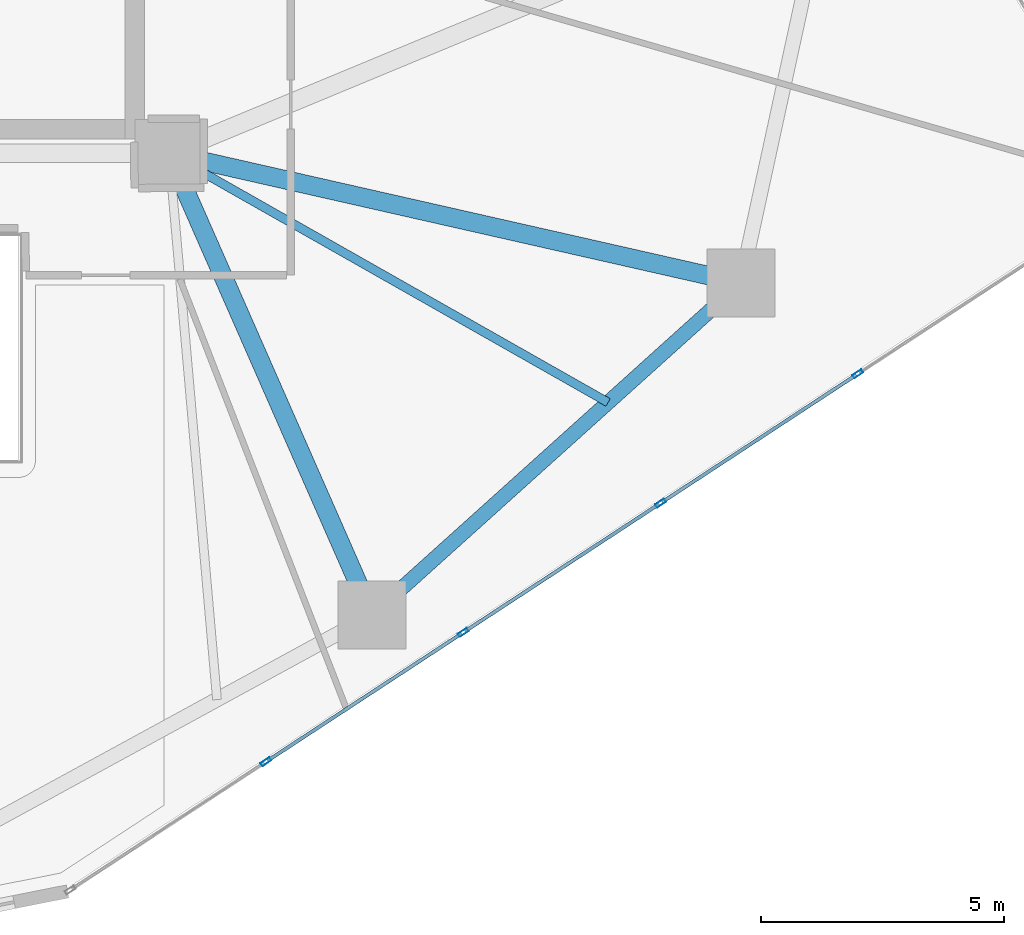
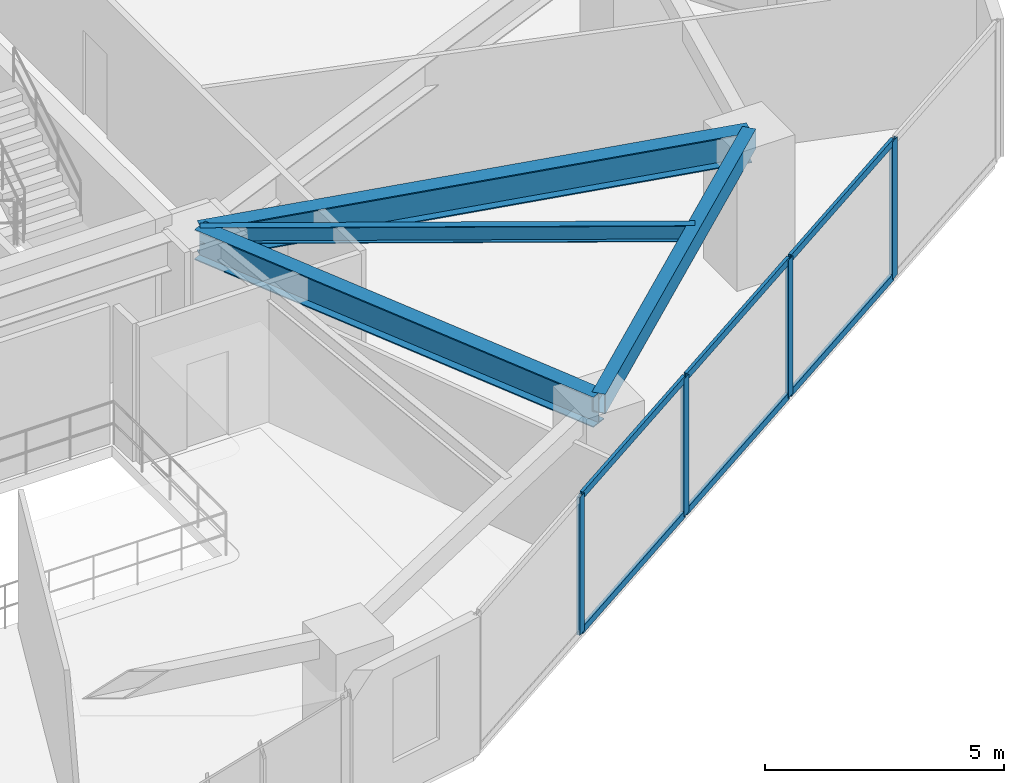
# One storey, part 8 of 20: 10 members, 4 beams, 1 element without a shape of its own.
"""IFC4 building model written with IfcOpenShell, lengths in metres."""

from ifc_helpers import new_model, si_unit, direction, frame, origin, origin_2d, place, context, subcontext, project, spatial, hollow_rectangle, i_section, extrude, source, transform, mapped, material, layer, layer_set, material_profile, profile_set, type_object, type_shapes, element, aggregate, save


model = new_model("IFC4")

# Units and contexts
model_context = context("Model", 3, precision=1e-05, world=origin(), true_north=direction((0.0, 1.0)))
body_context = subcontext(model_context, "Body", "Model", "MODEL_VIEW")
ifc_project = project(units=[si_unit("LENGTHUNIT", "METRE"), si_unit("AREAUNIT", "SQUARE_METRE"), si_unit("VOLUMEUNIT", "CUBIC_METRE"), si_unit("PLANEANGLEUNIT", "RADIAN"), si_unit("MASSUNIT", "GRAM", prefix="KILO")], contexts=[model_context])

# Site, building, storey
site_placement = place(None, origin())
site = spatial("IfcSite", under=ifc_project, at=site_placement, CompositionType="ELEMENT")
building_placement = place(site_placement, origin())
building = spatial("IfcBuilding", under=site, at=building_placement, Name="Talar Marvaseh", CompositionType="ELEMENT")
storey_placement = place(building_placement, frame((0.0, 0.0, 58.199951171875)))
storey = spatial("IfcBuildingStorey", under=building, at=storey_placement, Name="L14", CompositionType="ELEMENT", Elevation=58.199951171875)

# Beams
ifc_material_1 = material(Name="Steel S355", Category="steel")
ifc_material_profile_1 = material_profile(ifc_material_1, hollow_rectangle(XDim=0.300048828125, YDim=0.5, WallThickness=0.02001953125, at=origin_2d()), Name="RHS500x300x20")
ifc_profile_set_1 = profile_set([ifc_material_profile_1], Name="Steel S355")
beam_type_1 = type_object("IfcBeamType", Name="Zone 1 Perimeter Spandrel Beam RHS500x300x20", PredefinedType="SPANDREL", material=ifc_profile_set_1)
beam_1_placement = place(storey_placement, frame((45.0439453125, 22.840087890625, 3.27001953125), z_axis=(-0.743257224494, -0.669005753516, 0.0), x_axis=(0.669005753516, -0.743257224494, 0.0)))
element("IfcBeam", 1, at=beam_1_placement, inside=storey, type_object=beam_type_1, Name="L14 Zone 1 Perimeter Spandrel Beam RHS500x300x20", PredefinedType="SPANDREL", context=body_context, shape_type="SweptSolid", body=[
    extrude(hollow_rectangle(XDim=0.300048828125, YDim=0.5, WallThickness=0.02001953125, at=origin_2d()), origin(), (0.0, 0.0, 1.0), 10.19287109375),
])
ifc_material_profile_2 = material_profile(ifc_material_1, i_section(OverallWidth=0.381103515625, OverallDepth=0.77294921875, WebThickness=0.0166015625, FlangeThickness=0.027099609375, at=origin_2d()), Name="W760x257")
ifc_profile_set_2 = profile_set([ifc_material_profile_2], Name="Steel S355")
beam_type_2 = type_object("IfcBeamType", Name="Zone 1 Radial Floor Girder W760x257", PredefinedType="BEAM", material=ifc_profile_set_2)
beam_2_placement = place(storey_placement, frame((45.0439453125, 22.840087890625, 3.133544921875), z_axis=(-0.975296900374, 0.220898067263, 0.0), x_axis=(-0.220898067263, -0.975296900374, 0.0)))
element("IfcBeam", 2, at=beam_2_placement, inside=storey, type_object=beam_type_2, Name="L14 Zone 1 Radial Floor Girder W760x257", PredefinedType="BEAM", context=body_context, shape_type="SweptSolid", body=[
    extrude(i_section(OverallWidth=0.381103515625, OverallDepth=0.77294921875, WebThickness=0.0166015625, FlangeThickness=0.027099609375, at=origin_2d()), origin(), (0.0, 0.0, 1.0), 12.041259765625),
])
beam_3_placement = place(storey_placement, frame((37.468017578125, 16.02099609375, 3.133544921875), z_axis=(-0.402512625991, 0.915414433969, 0.0), x_axis=(-0.915414433969, -0.402512625991, 0.0)))
element("IfcBeam", 3, at=beam_3_placement, inside=storey, type_object=beam_type_2, Name="L14 Zone 1 Radial Floor Girder W760x257", PredefinedType="BEAM", context=body_context, shape_type="SweptSolid", body=[
    extrude(i_section(OverallWidth=0.381103515625, OverallDepth=0.77294921875, WebThickness=0.0166015625, FlangeThickness=0.027099609375, at=origin_2d()), origin(), (0.0, 0.0, 1.0), 10.35498046875),
])
ifc_material_profile_3 = material_profile(ifc_material_1, i_section(OverallWidth=0.179931640625, OverallDepth=0.4130859375, WebThickness=0.009765625, FlangeThickness=0.01611328125, at=origin_2d()), Name="W410x75")
ifc_profile_set_3 = profile_set([ifc_material_profile_3], Name="Steel S355")
beam_type_3 = type_object("IfcBeamType", Name="Zone 1 Secondary Floor Joist W410x75", PredefinedType="JOIST", material=ifc_profile_set_3)
beam_4_placement = place(storey_placement, frame((42.316650390625, 20.38525390625, 3.3134765625), z_axis=(-0.869801202402, 0.493402339172, 0.0), x_axis=(-0.493402339172, -0.869801202402, 0.0)))
element("IfcBeam", 4, at=beam_4_placement, inside=storey, type_object=beam_type_3, Name="L14 Zone 1 Secondary Floor Joist W410x75", PredefinedType="JOIST", context=body_context, shape_type="SweptSolid", body=[
    extrude(i_section(OverallWidth=0.179931640625, OverallDepth=0.4130859375, WebThickness=0.009765625, FlangeThickness=0.01611328125, at=origin_2d()), origin(), (0.0, 0.0, 1.0), 10.3662109375),
])

# Curtain wall, members
ifc_material_2 = material(Name="Architectural Aluminium", Category="aluminium")
ifc_layer = layer(ifc_material_2, 0.219970703125)
ifc_layer_set = layer_set([ifc_layer], Name="Architectural Aluminium")
curtain_wall_type = type_object("IfcCurtainWallType", Name="Unitised Low-E Museum Curtain Wall Z1", PredefinedType="NOTDEFINED", material=ifc_layer_set)
curtain_wall_placement = place(storey_placement, origin())
curtain_wall = element("IfcCurtainWall", 5, at=curtain_wall_placement, inside=storey, type_object=curtain_wall_type, Name="L14 Unitised Low-E Museum Curtain Wall Z1", PredefinedType="NOTDEFINED")
ifc_material_profile_4 = material_profile(ifc_material_2, hollow_rectangle(XDim=0.080078125, YDim=0.219970703125, WallThickness=0.0048828125, at=origin_2d()), Name="RHS220x80x5")
ifc_profile_set_4 = profile_set([ifc_material_profile_4], Name="Architectural Aluminium")
member_type_1 = type_object("IfcMemberType", Name="Unitised Curtain Wall Heavy Mullion RHS220x80x5", PredefinedType="MULLION", material=ifc_profile_set_4)
shared_shape_1 = source(origin(), body_context, "Body", "SweptSolid", [
    extrude(hollow_rectangle(XDim=0.080078125, YDim=0.219970703125, WallThickness=0.0048828125, at=origin_2d()), origin(), (0.0, 0.0, 1.0), 3.52001953125),
])
type_shapes(member_type_1, [shared_shape_1])
member_1_placement = place(storey_placement, frame((47.44677734375, 20.974609375, 0.0), z_axis=(0.0, 0.0, 1.0), x_axis=(0.548163977673, -0.836370882792, 0.0)))
member_1 = element("IfcMember", 6, at=member_1_placement, type_object=member_type_1, Name="CW-Z1 mullion 2", PredefinedType="MULLION", context=body_context, shape_type="MappedRepresentation", body=[
    mapped(shared_shape_1, transform((0.0, 0.0, 0.0), x_axis=(1.0, 0.0, 0.0), y_axis=(0.0, 1.0, 0.0), z_axis=(0.0, 0.0, 1.0), scale=1.0)),
])
member_2_placement = place(storey_placement, frame((43.394287109375, 18.318603515625, 0.0), z_axis=(0.0, 0.0, 1.0), x_axis=(0.548163977673, -0.836370882792, 0.0)))
member_2 = element("IfcMember", 7, at=member_2_placement, type_object=member_type_1, Name="CW-Z1 mullion 3", PredefinedType="MULLION", context=body_context, shape_type="MappedRepresentation", body=[
    mapped(shared_shape_1, transform((0.0, 0.0, 0.0), x_axis=(1.0, 0.0, 0.0), y_axis=(0.0, 1.0, 0.0), z_axis=(0.0, 0.0, 1.0), scale=1.0)),
])
member_3_placement = place(storey_placement, frame((39.341796875, 15.66259765625, 0.0), z_axis=(0.0, 0.0, 1.0), x_axis=(0.548163977673, -0.836370882792, 0.0)))
member_3 = element("IfcMember", 8, at=member_3_placement, type_object=member_type_1, Name="CW-Z1 mullion 4", PredefinedType="MULLION", context=body_context, shape_type="MappedRepresentation", body=[
    mapped(shared_shape_1, transform((0.0, 0.0, 0.0), x_axis=(1.0, 0.0, 0.0), y_axis=(0.0, 1.0, 0.0), z_axis=(0.0, 0.0, 1.0), scale=1.0)),
])
member_4_placement = place(storey_placement, frame((35.289306640625, 13.006591796875, 0.0), z_axis=(0.0, 0.0, 1.0), x_axis=(0.548163977673, -0.836370882792, 0.0)))
member_4 = element("IfcMember", 9, at=member_4_placement, type_object=member_type_1, Name="CW-Z1 mullion 5", PredefinedType="MULLION", context=body_context, shape_type="MappedRepresentation", body=[
    mapped(shared_shape_1, transform((0.0, 0.0, 0.0), x_axis=(1.0, 0.0, 0.0), y_axis=(0.0, 1.0, 0.0), z_axis=(0.0, 0.0, 1.0), scale=1.0)),
])
ifc_material_profile_5 = material_profile(ifc_material_2, hollow_rectangle(XDim=0.074951171875, YDim=0.179931640625, WallThickness=0.0048828125, at=origin_2d()), Name="RHS180x75x5")
ifc_profile_set_5 = profile_set([ifc_material_profile_5], Name="Architectural Aluminium")
member_type_2 = type_object("IfcMemberType", Name="Unitised Curtain Wall Transom RHS180x75x5", PredefinedType="USERDEFINED", material=ifc_profile_set_5)
shared_shape_2 = source(origin(), body_context, "Body", "SweptSolid", [
    extrude(hollow_rectangle(XDim=0.074951171875, YDim=0.179931640625, WallThickness=0.0048828125, at=origin_2d()), origin(), (0.0, 0.0, 1.0), 4.765380859375),
])
type_shapes(member_type_2, [shared_shape_2])
member_5_placement = place(storey_placement, frame((47.413330078125, 20.95263671875, 0.03759765625), z_axis=(-0.836383376145, -0.548144915245, 0.0), x_axis=(0.548144915245, -0.836383376145, 0.0)))
member_5 = element("IfcMember", 10, at=member_5_placement, type_object=member_type_2, Name="CW-Z1 transom 2.1", ObjectType="TRANSOM", PredefinedType="USERDEFINED", context=body_context, shape_type="MappedRepresentation", body=[
    mapped(shared_shape_2, transform((0.0, 0.0, 0.0), x_axis=(1.0, 0.0, 0.0), y_axis=(0.0, 1.0, 0.0), z_axis=(0.0, 0.0, 1.0), scale=1.0)),
])
member_6_placement = place(storey_placement, frame((47.413330078125, 20.95263671875, 3.482666015625), z_axis=(-0.836383376145, -0.548144915245, 0.0), x_axis=(0.548144915245, -0.836383376145, 0.0)))
member_6 = element("IfcMember", 11, at=member_6_placement, type_object=member_type_2, Name="CW-Z1 transom 2.2", ObjectType="TRANSOM", PredefinedType="USERDEFINED", context=body_context, shape_type="MappedRepresentation", body=[
    mapped(shared_shape_2, transform((0.0, 0.0, 0.0), x_axis=(1.0, 0.0, 0.0), y_axis=(0.0, 1.0, 0.0), z_axis=(0.0, 0.0, 1.0), scale=1.0)),
])
member_7_placement = place(storey_placement, frame((43.36083984375, 18.296630859375, 0.03759765625), z_axis=(-0.836383376145, -0.548144915245, 0.0), x_axis=(0.548144915245, -0.836383376145, 0.0)))
member_7 = element("IfcMember", 12, at=member_7_placement, type_object=member_type_2, Name="CW-Z1 transom 3.1", ObjectType="TRANSOM", PredefinedType="USERDEFINED", context=body_context, shape_type="MappedRepresentation", body=[
    mapped(shared_shape_2, transform((0.0, 0.0, 0.0), x_axis=(1.0, 0.0, 0.0), y_axis=(0.0, 1.0, 0.0), z_axis=(0.0, 0.0, 1.0), scale=1.0)),
])
member_8_placement = place(storey_placement, frame((43.36083984375, 18.296630859375, 3.482666015625), z_axis=(-0.836383376145, -0.548144915245, 0.0), x_axis=(0.548144915245, -0.836383376145, 0.0)))
member_8 = element("IfcMember", 13, at=member_8_placement, type_object=member_type_2, Name="CW-Z1 transom 3.2", ObjectType="TRANSOM", PredefinedType="USERDEFINED", context=body_context, shape_type="MappedRepresentation", body=[
    mapped(shared_shape_2, transform((0.0, 0.0, 0.0), x_axis=(1.0, 0.0, 0.0), y_axis=(0.0, 1.0, 0.0), z_axis=(0.0, 0.0, 1.0), scale=1.0)),
])
member_9_placement = place(storey_placement, frame((39.308349609375, 15.640625, 0.03759765625), z_axis=(-0.836383376145, -0.548144915245, 0.0), x_axis=(0.548144915245, -0.836383376145, 0.0)))
member_9 = element("IfcMember", 14, at=member_9_placement, type_object=member_type_2, Name="CW-Z1 transom 4.1", ObjectType="TRANSOM", PredefinedType="USERDEFINED", context=body_context, shape_type="MappedRepresentation", body=[
    mapped(shared_shape_2, transform((0.0, 0.0, 0.0), x_axis=(1.0, 0.0, 0.0), y_axis=(0.0, 1.0, 0.0), z_axis=(0.0, 0.0, 1.0), scale=1.0)),
])
member_10_placement = place(storey_placement, frame((39.308349609375, 15.640625, 3.482666015625), z_axis=(-0.836383376145, -0.548144915245, 0.0), x_axis=(0.548144915245, -0.836383376145, 0.0)))
member_10 = element("IfcMember", 15, at=member_10_placement, type_object=member_type_2, Name="CW-Z1 transom 4.2", ObjectType="TRANSOM", PredefinedType="USERDEFINED", context=body_context, shape_type="MappedRepresentation", body=[
    mapped(shared_shape_2, transform((0.0, 0.0, 0.0), x_axis=(1.0, 0.0, 0.0), y_axis=(0.0, 1.0, 0.0), z_axis=(0.0, 0.0, 1.0), scale=1.0)),
])
aggregate(curtain_wall, [member_1, member_2, member_3, member_4, member_5, member_6, member_7, member_8, member_9, member_10])

save(model, "model.ifc")
